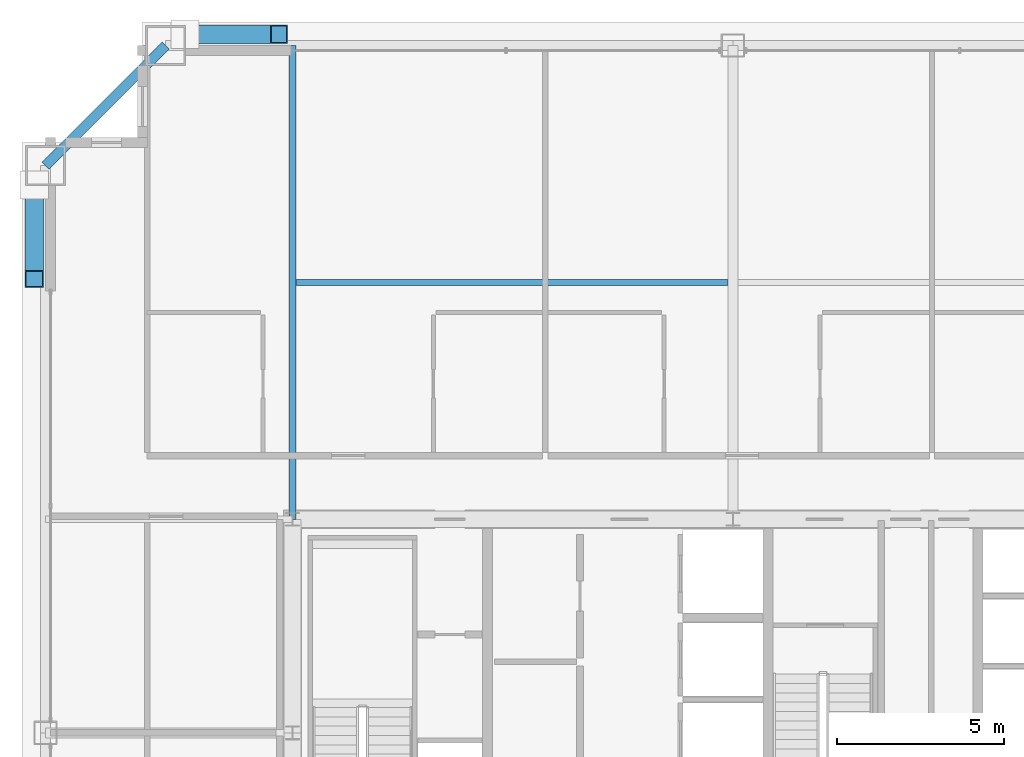
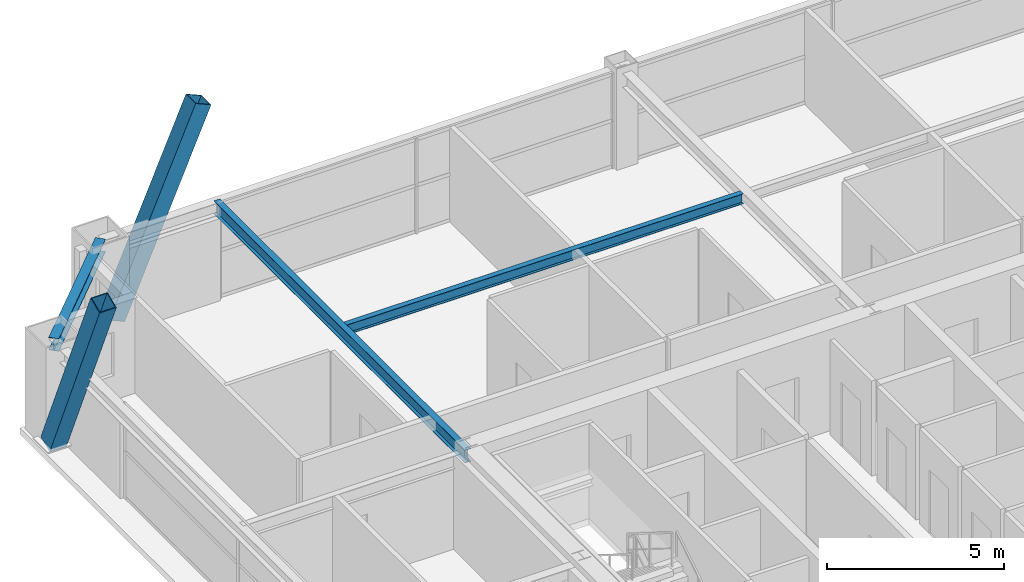
# One storey, part 21 of 34: 3 beams, 2 members.
"""IFC4 building model written with IfcOpenShell, lengths in metres."""

from ifc_helpers import new_model, si_unit, direction, frame, origin, origin_2d, place, context, subcontext, project, spatial, hollow_rectangle, i_section, extrude, source, transform, mapped, material, material_profile, profile_set, type_object, element, save


model = new_model("IFC4")

# Units and contexts
model_context = context("Model", 3, precision=1e-05, world=origin(), true_north=direction((0.0, 1.0)))
body_context = subcontext(model_context, "Body", "Model", "MODEL_VIEW")
ifc_project = project(units=[si_unit("LENGTHUNIT", "METRE"), si_unit("AREAUNIT", "SQUARE_METRE"), si_unit("VOLUMEUNIT", "CUBIC_METRE"), si_unit("PLANEANGLEUNIT", "RADIAN"), si_unit("MASSUNIT", "GRAM", prefix="KILO"), si_unit("THERMODYNAMICTEMPERATUREUNIT", "KELVIN"), si_unit("POWERUNIT", "WATT")], contexts=[model_context])

# Site, building, storey
site_placement = place(None, origin())
site = spatial("IfcSite", under=ifc_project, at=site_placement, CompositionType="ELEMENT")
building_placement = place(site_placement, origin())
building = spatial("IfcBuilding", under=site, at=building_placement, Name="Yuzanri Waterfront Tower", CompositionType="ELEMENT")
storey_placement = place(building_placement, frame((0.0, 0.0, 241.60009765625)))
storey = spatial("IfcBuildingStorey", under=building, at=storey_placement, Name="L64", CompositionType="ELEMENT", Elevation=241.60009765625)

# Beams
ifc_material_1 = material(Name="Steel Q355B", Category="steel")
ifc_material_profile_1 = material_profile(ifc_material_1, i_section(OverallWidth=0.300048828125, OverallDepth=0.43994140625, WebThickness=0.010986328125, FlangeThickness=0.01806640625, at=origin_2d()), Name="HM 440x300x11x18")
ifc_profile_set_1 = profile_set([ifc_material_profile_1], Name="Steel Q355B")
beam_type_1 = type_object("IfcBeamType", Name="Perimeter Spandrel Q355B HM 440x300", PredefinedType="SPANDREL", material=ifc_profile_set_1)
shared_shape_1 = source(origin(), body_context, "Body", "SweptSolid", [
    extrude(i_section(OverallWidth=0.300048828125, OverallDepth=0.43994140625, WebThickness=0.010986328125, FlangeThickness=0.01806640625, at=origin_2d()), origin(), (0.0, 0.0, 1.0), 5.091064453125),
])
beam_1_placement = place(storey_placement, frame((20.0, 46.39990234375, 3.059814453125), z_axis=(-0.707130757816, -0.707082803744, 0.0), x_axis=(0.707082803744, -0.707130757816, 0.0)))
element("IfcBeam", 1, at=beam_1_placement, inside=storey, type_object=beam_type_1, Name="L64 Perimeter Spandrel N1-W3", PredefinedType="SPANDREL", context=body_context, shape_type="MappedRepresentation", body=[
    mapped(shared_shape_1, transform((0.0, 0.0, 0.0), scale=1.0)),
])
ifc_material_2 = material(Name="Steel Q355B", Category="steel")
ifc_material_profile_2 = material_profile(ifc_material_2, i_section(OverallWidth=0.199951171875, OverallDepth=0.449951171875, WebThickness=0.009033203125, FlangeThickness=0.013916015625, at=origin_2d()), Name="HN 450x200x9x14")
ifc_profile_set_2 = profile_set([ifc_material_profile_2], Name="Steel Q355B")
beam_type_2 = type_object("IfcBeamType", Name="Secondary Floor Beam Q355B HN 450x200", PredefinedType="BEAM", material=ifc_profile_set_2)
shared_shape_2 = source(origin(), body_context, "Body", "SweptSolid", [
    extrude(i_section(OverallWidth=0.199951171875, OverallDepth=0.449951171875, WebThickness=0.009033203125, FlangeThickness=0.013916015625, at=origin_2d()), origin(), (0.0, 0.0, 1.0), 14.199951171875),
])
beam_2_placement = place(storey_placement, frame((23.800048828125, 32.199951171875, 3.054931640625), z_axis=(0.0, 1.0, 0.0), x_axis=(-1.0, 0.0, 0.0)))
element("IfcBeam", 2, at=beam_2_placement, inside=storey, type_object=beam_type_2, Name="L64 North-West Core Line Beam", PredefinedType="BEAM", context=body_context, shape_type="MappedRepresentation", body=[
    mapped(shared_shape_2, transform((0.0, 0.0, 0.0), scale=1.0)),
])
ifc_material_3 = material(Name="Steel Q355B", Category="steel")
ifc_material_profile_3 = material_profile(ifc_material_3, i_section(OverallWidth=0.175048828125, OverallDepth=0.35009765625, WebThickness=0.007080078125, FlangeThickness=0.010986328125, at=origin_2d()), Name="HN 350x175x7x11")
ifc_profile_set_3 = profile_set([ifc_material_profile_3], Name="Steel Q355B")
beam_type_3 = type_object("IfcBeamType", Name="Floor Joist Q355B HN 350x175", PredefinedType="JOIST", material=ifc_profile_set_3)
shared_shape_3 = source(origin(), body_context, "Body", "SweptSolid", [
    extrude(i_section(OverallWidth=0.175048828125, OverallDepth=0.35009765625, WebThickness=0.007080078125, FlangeThickness=0.010986328125, at=origin_2d()), origin(), (0.0, 0.0, 1.0), 12.9501953125),
])
beam_3_placement = place(storey_placement, frame((23.89990234375, 39.300048828125, 3.10498046875), z_axis=(1.0, 0.0, 0.0), x_axis=(0.0, 1.0, 0.0)))
element("IfcBeam", 3, at=beam_3_placement, inside=storey, type_object=beam_type_3, Name="L64 North Bay Joist W", PredefinedType="JOIST", context=body_context, shape_type="MappedRepresentation", body=[
    mapped(shared_shape_3, transform((0.0, 0.0, 0.0), scale=1.0)),
])

# Members
ifc_material_4 = material(Name="Steel Q390GJC", Category="steel")
ifc_material_profile_4 = material_profile(ifc_material_4, hollow_rectangle(XDim=0.550048828125, YDim=0.550048828125, WallThickness=0.02490234375, at=origin_2d()), Name="RHS 550x550x25")
ifc_profile_set_4 = profile_set([ifc_material_profile_4], Name="Steel Q390GJC")
member_type = type_object("IfcMemberType", Name="Mega Brace Mid Q390GJC RHS 550x550x25", PredefinedType="BRACE", material=ifc_profile_set_4)
shared_shape_4 = source(origin(), body_context, "Body", "SweptSolid", [
    extrude(hollow_rectangle(XDim=0.550048828125, YDim=0.550048828125, WallThickness=0.02490234375, at=origin_2d()), origin(), (0.0, 0.0, 1.0), 7.085205078125),
])
member_1_placement = place(storey_placement, frame((20.580078125, 46.739990234375, 0.179931640625), z_axis=(0.397982599681, 0.0, 0.917392963975), x_axis=(0.0, 1.0, 0.0)))
element("IfcMember", 4, at=member_1_placement, inside=storey, type_object=member_type, Name="L64-L65 Perimeter Mega-Brace N-L", PredefinedType="BRACE", context=body_context, shape_type="MappedRepresentation", body=[
    mapped(shared_shape_4, transform((0.0, 0.0, 0.0), scale=1.0)),
])
shared_shape_5 = source(origin(), body_context, "Body", "SweptSolid", [
    extrude(hollow_rectangle(XDim=0.550048828125, YDim=0.550048828125, WallThickness=0.02490234375, at=origin_2d()), origin(), (0.0, 0.0, 1.0), 7.08544921875),
])
member_2_placement = place(storey_placement, frame((16.06005859375, 42.219970703125, 0.179931640625), z_axis=(0.0, -0.398011598745, 0.917380383082), x_axis=(1.0, 0.0, 0.0)))
element("IfcMember", 5, at=member_2_placement, inside=storey, type_object=member_type, Name="L64-L65 Perimeter Mega-Brace W-R", PredefinedType="BRACE", context=body_context, shape_type="MappedRepresentation", body=[
    mapped(shared_shape_5, transform((0.0, 0.0, 0.0), scale=1.0)),
])

save(model, "model.ifc")
